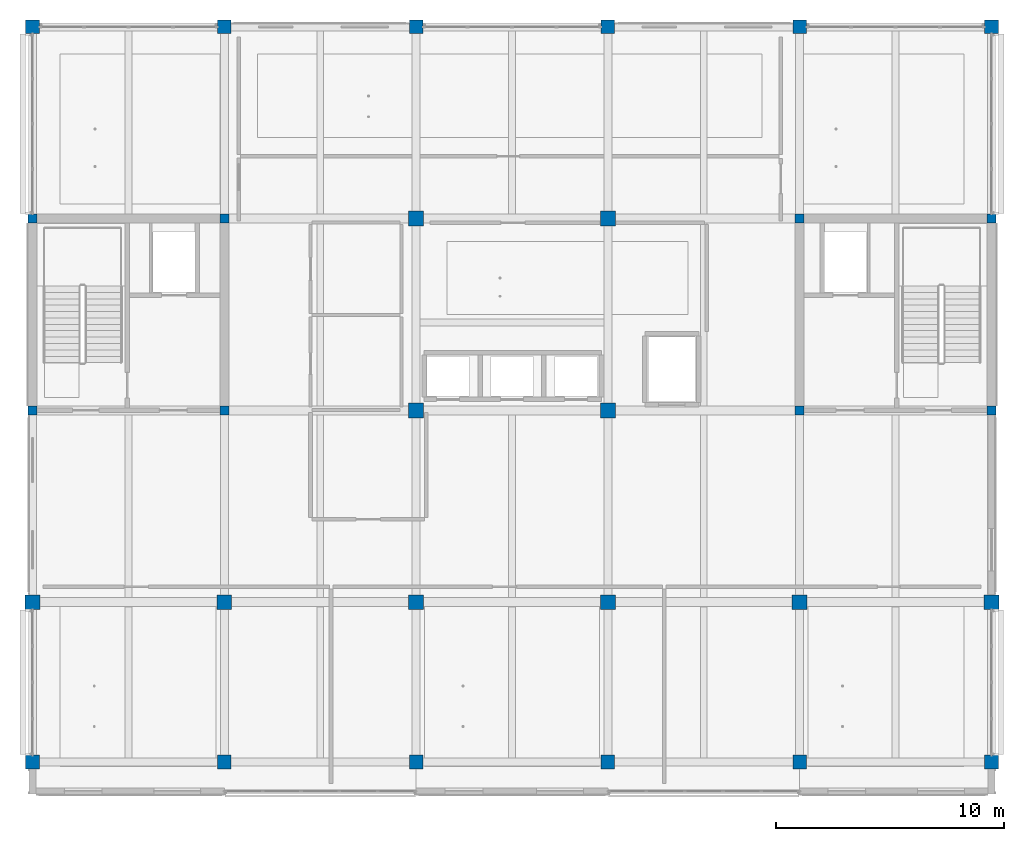
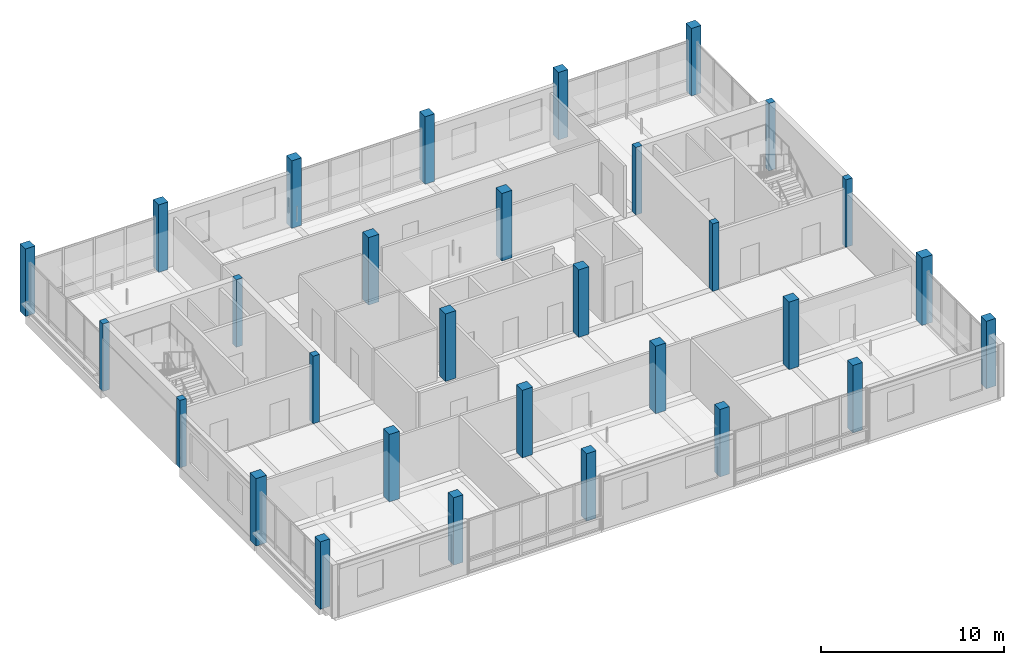
# One storey, part 1 of 29: 30 columns.
"""IFC4 building model written with IfcOpenShell, lengths in metres."""

import ifcopenshell
import ifcopenshell.guid

model = None  # the IFC model being written
_history = None  # IfcOwnerHistory: only IFC2X3 demands one
_inside = {}  # id of a spatial element -> (the spatial element, [elements in it])
_under = {}  # id of a project, library or spatial element -> (it, [spatial elements below it])
_declared = {}  # id of a project -> (the project, [libraries it declares])
_typed = {}  # id of a type object -> (the type object, [elements of that type])
_made_of = {}  # id of a material, layer set ... -> (it, [elements and type objects made of it])


def new_model(schema):
    """Start an empty IFC model of exactly this schema.

    Asked for "IFC4X3", IfcOpenShell would pick the latest addendum, in which some entities
    have other attributes; the version numbers below select the first issue.
    IFC2X3 requires an IfcOwnerHistory on every rooted entity: one is made here for all.
    """
    global model, _history
    if schema == "IFC4X3":
        model = ifcopenshell.file(schema_version=(4, 3, 0, 0))
    else:
        model = ifcopenshell.file(schema=schema)
    _inside.clear()
    _under.clear()
    _declared.clear()
    _typed.clear()
    _made_of.clear()
    _history = None
    if model.schema == "IFC2X3":
        org = make("IfcOrganization", Name="unknown")
        user = make(
            "IfcPersonAndOrganization",
            ThePerson=make("IfcPerson", FamilyName="unknown"),
            TheOrganization=org,
        )
        app = make(
            "IfcApplication",
            ApplicationDeveloper=org,
            Version="unknown",
            ApplicationFullName="unknown",
            ApplicationIdentifier="unknown",
        )
        _history = make(
            "IfcOwnerHistory",
            OwningUser=user,
            OwningApplication=app,
            ChangeAction="ADDED",
            CreationDate=0,
        )
    return model


def make(cls, **values):
    """One entity of the class cls with the attributes given. An attribute that is None is left unset."""
    return model.create_entity(
        cls, **{name: value for name, value in values.items() if value is not None}
    )


def rooted(cls, **values):
    """An entity with a GlobalId (a new one), such as an element, a storey or a relation."""
    return make(cls, GlobalId=ifcopenshell.guid.new(), OwnerHistory=_history, **values)


def si_unit(unit_type, name, prefix=None):
    """IfcSIUnit, for example si_unit("LENGTHUNIT", "METRE", prefix="MILLI")."""
    return make("IfcSIUnit", UnitType=unit_type, Prefix=prefix, Name=name)


def assignment(units):
    """IfcUnitAssignment: the units of a project."""
    return None if units is None else make("IfcUnitAssignment", Units=units)


def point(xyz):
    """IfcCartesianPoint."""
    return None if xyz is None else make("IfcCartesianPoint", Coordinates=xyz)


def direction(xyz):
    """IfcDirection."""
    return None if xyz is None else make("IfcDirection", DirectionRatios=xyz)


def frame(location, z_axis=None, x_axis=None):
    """IfcAxis2Placement3D, a coordinate frame: its origin and axes. An axis left out is left unset."""
    return make(
        "IfcAxis2Placement3D",
        Location=point(location),
        Axis=direction(z_axis),
        RefDirection=direction(x_axis),
    )


def frame_2d(location, x_axis=None):
    """IfcAxis2Placement2D, a coordinate frame in the plane: its origin and x axis."""
    return make(
        "IfcAxis2Placement2D", Location=point(location), RefDirection=direction(x_axis)
    )


def origin():
    """The frame at (0, 0, 0) with its axes left unset."""
    return frame((0.0, 0.0, 0.0))


def origin_2d():
    """The frame at (0, 0) in the plane with its x axis left unset."""
    return frame_2d((0.0, 0.0))


def place(relative_to, where):
    """IfcLocalPlacement: puts the frame where relative to a parent placement (None: the world)."""
    return make(
        "IfcLocalPlacement", PlacementRelTo=relative_to, RelativePlacement=where
    )


def context(
    kind, dimensions, precision=None, world=None, true_north=None, identifier=None
):
    """IfcGeometricRepresentationContext, for example the 3D "Model" context."""
    return make(
        "IfcGeometricRepresentationContext",
        ContextIdentifier=identifier,
        ContextType=kind,
        CoordinateSpaceDimension=dimensions,
        Precision=precision,
        WorldCoordinateSystem=world,
        TrueNorth=true_north,
    )


def subcontext(parent, identifier, kind, view, scale=None):
    """IfcGeometricRepresentationSubContext, for example "Body" below "Model"."""
    return make(
        "IfcGeometricRepresentationSubContext",
        ContextIdentifier=identifier,
        ContextType=kind,
        ParentContext=parent,
        TargetScale=scale,
        TargetView=view,
    )


def project(units=None, contexts=None):
    """IfcProject with its units and contexts."""
    return rooted(
        "IfcProject",
        Name="project",
        RepresentationContexts=contexts,
        UnitsInContext=assignment(units),
    )


def spatial(cls, under=None, at=None, **own):
    """A site, building, storey or space (cls), placed at a placement, below another one or the project."""
    s = rooted(cls, ObjectPlacement=at, **own)
    if under is not None:
        _under.setdefault(under.id(), (under, []))[1].append(s)
    return s


def profile(cls, at=None, kind="AREA", **sizes):
    """A parametric profile (cls). Its sizes go by their IFC names, for example OverallWidth=200.0."""
    return make(cls, ProfileType=kind, Position=at, **sizes)


def rectangle(**sizes):
    """IfcRectangleProfileDef."""
    return profile("IfcRectangleProfileDef", **sizes)


def extrude(swept, where, along, depth):
    """IfcExtrudedAreaSolid: the profile swept, set in the frame where, extruded along a direction by depth."""
    return make(
        "IfcExtrudedAreaSolid",
        SweptArea=swept,
        Position=where,
        ExtrudedDirection=direction(along),
        Depth=depth,
    )


def shape(context_of_items, identifier, shape_type, items):
    """IfcShapeRepresentation: the items that make up one representation, for example the "Body"."""
    return make(
        "IfcShapeRepresentation",
        ContextOfItems=context_of_items,
        RepresentationIdentifier=identifier,
        RepresentationType=shape_type,
        Items=items,
    )


def material(Name=None, Category=None):
    """IfcMaterial."""
    return make("IfcMaterial", Name=Name, Category=Category)


def material_profile(
    of_material, cross_section, Name=None, Category=None, Priority=None
):
    """IfcMaterialProfile: a cross section and its material."""
    return make(
        "IfcMaterialProfile",
        Name=Name,
        Material=of_material,
        Profile=cross_section,
        Priority=Priority,
        Category=Category,
    )


def profile_set(profiles, Name=None, composite=None):
    """IfcMaterialProfileSet."""
    return make(
        "IfcMaterialProfileSet",
        Name=Name,
        MaterialProfiles=profiles,
        CompositeProfile=composite,
    )


def made_of(thing, what):
    """Note that an element or type object is made of a material, layer set ...; save() writes the relation."""
    if what is not None:
        _made_of.setdefault(what.id(), (what, []))[1].append(thing)
    return thing


def type_object(cls, material=None, **own):
    """A type object (cls), such as IfcWallType, which elements share."""
    return made_of(rooted(cls, **own), material)


def element(
    cls,
    number,
    at=None,
    inside=None,
    cuts=None,
    type_object=None,
    material=None,
    context=None,
    identifier="Body",
    shape_type=None,
    held_by="IfcProductDefinitionShape",
    body=None,
    shapes=None,
    **own,
):
    """One element of the class cls, such as IfcWall. Its Tag is "e" and its number.

    at: its placement. inside: the storey or other place that contains it. cuts: it is an
    opening in that element (IfcRelVoidsElement). A single representation is given by context,
    identifier, shape_type and body (its items); several are given by shapes. held_by: the class
    of the entity that holds the representations. save() writes the other relations.
    """
    e = rooted(cls, Tag="e%d" % number, ObjectPlacement=at, **own)
    if body is not None:
        shapes = [shape(context, identifier, shape_type, body)]
    if shapes is not None:
        e.Representation = make(held_by, Representations=shapes)
    if inside is not None:
        _inside.setdefault(inside.id(), (inside, []))[1].append(e)
    if cuts is not None:
        rooted(
            "IfcRelVoidsElement", RelatingBuildingElement=cuts, RelatedOpeningElement=e
        )
    if type_object is not None:
        _typed.setdefault(type_object.id(), (type_object, []))[1].append(e)
    return made_of(e, material)


def aggregate(whole, parts):
    """IfcRelAggregates: a whole, such as a stair, and the parts it consists of."""
    return rooted("IfcRelAggregates", RelatingObject=whole, RelatedObjects=parts)


def save(model, path):
    """Write the relations noted so far, then the file.

    IfcRelAggregates (storeys below a building ...), IfcRelContainedInSpatialStructure (elements
    in a storey), IfcRelDefinesByType, IfcRelAssociatesMaterial and IfcRelDeclares: one each for
    every whole, place, type object, material and project.
    """
    for whole, parts in _under.values():
        aggregate(whole, parts)
    for where, things in _inside.values():
        rooted(
            "IfcRelContainedInSpatialStructure",
            RelatedElements=things,
            RelatingStructure=where,
        )
    for kind, things in _typed.values():
        rooted("IfcRelDefinesByType", RelatedObjects=things, RelatingType=kind)
    for what, things in _made_of.values():
        rooted("IfcRelAssociatesMaterial", RelatedObjects=things, RelatingMaterial=what)
    for by, libraries in _declared.values():
        rooted("IfcRelDeclares", RelatingContext=by, RelatedDefinitions=libraries)
    model.write(path)


model = new_model("IFC4")

# Units and contexts
model_context = context("Model", 3, precision=1e-05, world=origin(), true_north=direction((0.0, 1.0)))
body_context = subcontext(model_context, "Body", "Model", "MODEL_VIEW")
ifc_project = project(units=[si_unit("LENGTHUNIT", "METRE"), si_unit("AREAUNIT", "SQUARE_METRE"), si_unit("VOLUMEUNIT", "CUBIC_METRE"), si_unit("PLANEANGLEUNIT", "RADIAN"), si_unit("MASSUNIT", "GRAM", prefix="KILO")], contexts=[model_context])

# Site, building, storey
site_placement = place(None, origin())
site = spatial("IfcSite", under=ifc_project, at=site_placement, CompositionType="ELEMENT")
building_placement = place(site_placement, origin())
building = spatial("IfcBuilding", under=site, at=building_placement, Name="Telukmera Botanical Conservatory", CompositionType="ELEMENT")
storey_placement = place(building_placement, frame((0.0, 0.0, 55.5)))
storey = spatial("IfcBuildingStorey", under=building, at=storey_placement, Name="L12", CompositionType="ELEMENT", Elevation=55.5)

# Columns
ifc_material_1 = material(Name="Concrete C40/50", Category="concrete")
ifc_material_profile_1 = material_profile(ifc_material_1, rectangle(XDim=0.64990234375, YDim=0.64990234375, at=origin_2d()), Name="RC 650x650")
ifc_profile_set_1 = profile_set([ifc_material_profile_1], Name="Concrete C40/50")
column_type_1 = type_object("IfcColumnType", Name="Col_C10", PredefinedType="COLUMN", material=ifc_profile_set_1)
for number, where, z_axis, x_axis, name in (
    (1, (58.800048828125, 17.60009765625, 0.0), (0.0, 0.0, 1.0), (1.0, 0.0, 0.0), "Column V4-L12 (58.8,17.6)"),
    (2, (67.199951171875, 17.60009765625, 0.0), (0.0, 0.0, 1.0), (1.0, 0.0, 0.0), "Column V4-L12 (67.2,17.6)"),
    (3, (75.60009765625, 17.60009765625, 0.0), (0.0, 0.0, 1.0), (1.0, 0.0, 0.0), "Column V4-L12 (75.6,17.6)"),
    (4, (75.60009765625, 26.0, 0.0), (0.0, 0.0, 1.0), (1.0, 0.0, 0.0), "Column V4-L12 (75.6,26.0)"),
    (5, (75.60009765625, 34.39990234375, 0.0), (0.0, 0.0, 1.0), (1.0, 0.0, 0.0), "Column V4-L12 (75.6,34.4)"),
    (6, (84.0, 17.60009765625, 0.0), (0.0, 0.0, 1.0), (1.0, 0.0, 0.0), "Column V4-L12 (84.0,17.6)"),
    (7, (84.0, 26.0, 0.0), (0.0, 0.0, 1.0), (1.0, 0.0, 0.0), "Column V4-L12 (84.0,26.0)"),
    (8, (84.0, 34.39990234375, 0.0), (0.0, 0.0, 1.0), (1.0, 0.0, 0.0), "Column V4-L12 (84.0,34.4)"),
    (9, (92.39990234375, 17.60009765625, 0.0), (0.0, 0.0, 1.0), (1.0, 0.0, 0.0), "Column V4-L12 (92.4,17.6)"),
    (10, (100.800048828125, 17.60009765625, 0.0), (0.0, 0.0, 1.0), (1.0, 0.0, 0.0), "Column V4-L12 (100.8,17.6)"),
):
    element("IfcColumn", number, at=place(storey_placement, frame(where, z_axis=z_axis, x_axis=x_axis)), inside=storey, type_object=column_type_1, Name=name, PredefinedType="COLUMN", context=body_context, shape_type="SweptSolid", body=[
        extrude(rectangle(XDim=0.64990234375, YDim=0.64990234375, at=origin_2d()), origin(), (0.0, 0.0, 1.0), 4.5),
    ])
ifc_material_profile_2 = material_profile(ifc_material_1, rectangle(XDim=0.60009765625, YDim=0.60009765625, at=origin_2d()), Name="RC 600x600")
ifc_profile_set_2 = profile_set([ifc_material_profile_2], Name="Concrete C40/50")
column_type_2 = type_object("IfcColumnType", Name="Col_C11", PredefinedType="COLUMN", material=ifc_profile_set_2)
for number, where, z_axis, x_axis, name in (
    (11, (58.800048828125, 10.60009765625, 0.0), (0.0, 0.0, 1.0), (1.0, 0.0, 0.0), "Column V4-L12 (58.8,10.6)"),
    (12, (58.800048828125, 42.800048828125, 0.0), (0.0, 0.0, 1.0), (1.0, 0.0, 0.0), "Column V4-L12 (58.8,42.8)"),
    (13, (67.199951171875, 10.60009765625, 0.0), (0.0, 0.0, 1.0), (1.0, 0.0, 0.0), "Column V4-L12 (67.2,10.6)"),
    (14, (67.199951171875, 42.800048828125, 0.0), (0.0, 0.0, 1.0), (1.0, 0.0, 0.0), "Column V4-L12 (67.2,42.8)"),
    (15, (75.60009765625, 10.60009765625, 0.0), (0.0, 0.0, 1.0), (1.0, 0.0, 0.0), "Column V4-L12 (75.6,10.6)"),
    (16, (75.60009765625, 42.800048828125, 0.0), (0.0, 0.0, 1.0), (1.0, 0.0, 0.0), "Column V4-L12 (75.6,42.8)"),
    (17, (84.0, 10.60009765625, 0.0), (0.0, 0.0, 1.0), (1.0, 0.0, 0.0), "Column V4-L12 (84.0,10.6)"),
    (18, (84.0, 42.800048828125, 0.0), (0.0, 0.0, 1.0), (1.0, 0.0, 0.0), "Column V4-L12 (84.0,42.8)"),
    (19, (92.39990234375, 10.60009765625, 0.0), (0.0, 0.0, 1.0), (1.0, 0.0, 0.0), "Column V4-L12 (92.4,10.6)"),
    (20, (92.39990234375, 42.800048828125, 0.0), (0.0, 0.0, 1.0), (1.0, 0.0, 0.0), "Column V4-L12 (92.4,42.8)"),
    (21, (100.800048828125, 10.60009765625, 0.0), (0.0, 0.0, 1.0), (1.0, 0.0, 0.0), "Column V4-L12 (100.8,10.6)"),
    (22, (100.800048828125, 42.800048828125, 0.0), (0.0, 0.0, 1.0), (1.0, 0.0, 0.0), "Column V4-L12 (100.8,42.8)"),
):
    element("IfcColumn", number, at=place(storey_placement, frame(where, z_axis=z_axis, x_axis=x_axis)), inside=storey, type_object=column_type_2, Name=name, PredefinedType="COLUMN", context=body_context, shape_type="SweptSolid", body=[
        extrude(rectangle(XDim=0.60009765625, YDim=0.60009765625, at=origin_2d()), origin(), (0.0, 0.0, 1.0), 4.5),
    ])
ifc_material_2 = material(Name="Concrete C50/60", Category="concrete")
ifc_material_profile_3 = material_profile(ifc_material_2, rectangle(XDim=0.39990234375, YDim=0.39990234375, at=origin_2d()), Name="RC 400x400")
ifc_profile_set_3 = profile_set([ifc_material_profile_3], Name="Concrete C50/60")
column_type_3 = type_object("IfcColumnType", Name="Col_C14", PredefinedType="COLUMN", material=ifc_profile_set_3)
for number, where, z_axis, x_axis, name in (
    (23, (58.800048828125, 26.0, 0.0), (0.0, 0.0, 1.0), (1.0, 0.0, 0.0), "Column V4-L12 (58.8,26.0)"),
    (24, (58.800048828125, 34.39990234375, 0.0), (0.0, 0.0, 1.0), (1.0, 0.0, 0.0), "Column V4-L12 (58.8,34.4)"),
    (25, (67.199951171875, 26.0, 0.0), (0.0, 0.0, 1.0), (1.0, 0.0, 0.0), "Column V4-L12 (67.2,26.0)"),
    (26, (67.199951171875, 34.39990234375, 0.0), (0.0, 0.0, 1.0), (1.0, 0.0, 0.0), "Column V4-L12 (67.2,34.4)"),
    (27, (92.39990234375, 26.0, 0.0), (0.0, 0.0, 1.0), (1.0, 0.0, 0.0), "Column V4-L12 (92.4,26.0)"),
    (28, (92.39990234375, 34.39990234375, 0.0), (0.0, 0.0, 1.0), (1.0, 0.0, 0.0), "Column V4-L12 (92.4,34.4)"),
    (29, (100.800048828125, 26.0, 0.0), (0.0, 0.0, 1.0), (1.0, 0.0, 0.0), "Column V4-L12 (100.8,26.0)"),
    (30, (100.800048828125, 34.39990234375, 0.0), (0.0, 0.0, 1.0), (1.0, 0.0, 0.0), "Column V4-L12 (100.8,34.4)"),
):
    element("IfcColumn", number, at=place(storey_placement, frame(where, z_axis=z_axis, x_axis=x_axis)), inside=storey, type_object=column_type_3, Name=name, PredefinedType="COLUMN", context=body_context, shape_type="SweptSolid", body=[
        extrude(rectangle(XDim=0.39990234375, YDim=0.39990234375, at=origin_2d()), origin(), (0.0, 0.0, 1.0), 4.5),
    ])

save(model, "model.ifc")
